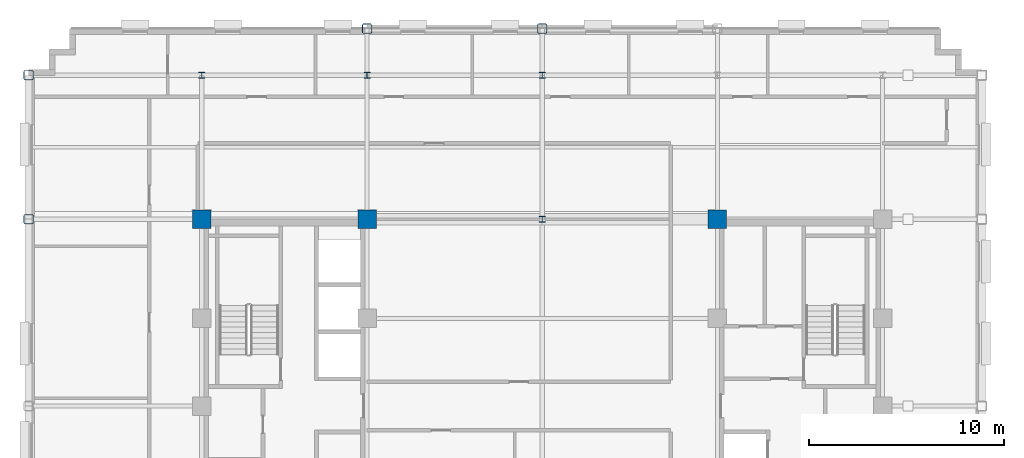
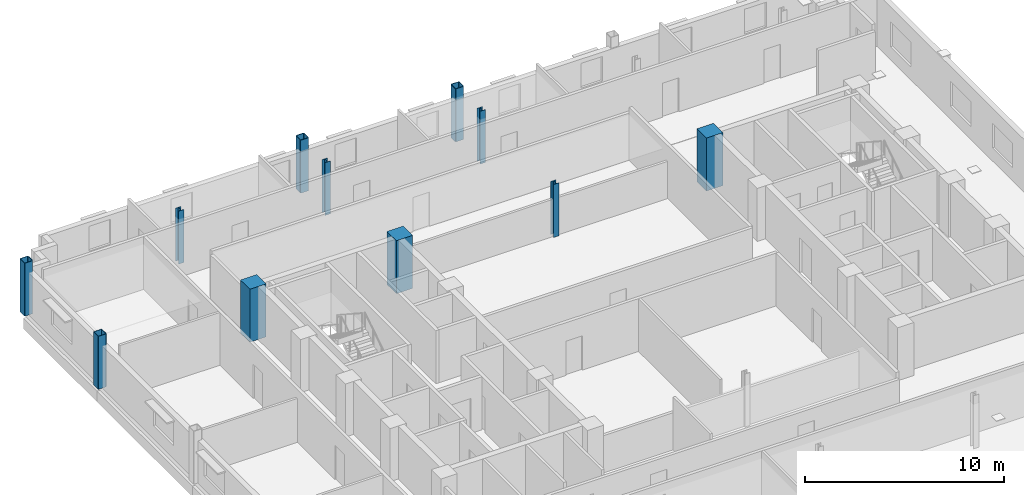
# One storey, part 3 of 15: 11 columns.
"""IFC4 building model written with IfcOpenShell, lengths in metres."""

from ifc_helpers import new_model, si_unit, direction, frame, origin, origin_2d, place, context, subcontext, project, spatial, rectangle, hollow_rectangle, i_section, extrude, material, material_profile, profile_set, type_object, element, save


model = new_model("IFC4")

# Units and contexts
model_context = context("Model", 3, precision=1e-05, world=origin(), true_north=direction((0.0, 1.0)))
body_context = subcontext(model_context, "Body", "Model", "MODEL_VIEW")
ifc_project = project(units=[si_unit("LENGTHUNIT", "METRE"), si_unit("AREAUNIT", "SQUARE_METRE"), si_unit("VOLUMEUNIT", "CUBIC_METRE"), si_unit("PLANEANGLEUNIT", "RADIAN"), si_unit("MASSUNIT", "GRAM", prefix="KILO")], contexts=[model_context])

# Site, building, storey
site_placement = place(None, origin())
site = spatial("IfcSite", under=ifc_project, at=site_placement, CompositionType="ELEMENT")
building_placement = place(site_placement, origin())
building = spatial("IfcBuilding", under=site, at=building_placement, Name="Nuvemarco Arch Tower", CompositionType="ELEMENT")
storey_placement = place(building_placement, frame((0.0, 0.0, 205.5)))
storey = spatial("IfcBuildingStorey", under=building, at=storey_placement, Name="L54", CompositionType="ELEMENT", Elevation=205.5)

# Columns
ifc_material_1 = material(Name="Concrete C50/60", Category="concrete")
ifc_material_profile_1 = material_profile(ifc_material_1, rectangle(XDim=0.949951171875, YDim=0.949951171875, at=origin_2d()), Name="RC-COL-950x950")
ifc_profile_set_1 = profile_set([ifc_material_profile_1], Name="Concrete C50/60")
column_type_1 = type_object("IfcColumnType", Name="COL-CORE-950", PredefinedType="COLUMN", material=ifc_profile_set_1)
for number, where, z_axis, x_axis, name in (
    (1, (-17.5, 9.60009765625, 0.0), (0.0, 0.0, 1.0), (1.0, 0.0, 0.0), "L54 column CC_-17.5_+9.6"),
    (2, (-9.0, 9.60009765625, 0.0), (0.0, 0.0, 1.0), (1.0, 0.0, 0.0), "L54 column CC_-9.0_+9.6"),
    (3, (9.0, 9.60009765625, 0.0), (0.0, 0.0, 1.0), (1.0, 0.0, 0.0), "L54 column CC_+9.0_+9.6"),
):
    element("IfcColumn", number, at=place(storey_placement, frame(where, z_axis=z_axis, x_axis=x_axis)), inside=storey, type_object=column_type_1, Name=name, PredefinedType="COLUMN", context=body_context, shape_type="SweptSolid", body=[
        extrude(rectangle(XDim=0.949951171875, YDim=0.949951171875, at=origin_2d()), origin(), (0.0, 0.0, 1.0), 3.25),
    ])
ifc_material_2 = material(Name="Steel S355", Category="steel")
ifc_material_profile_2 = material_profile(ifc_material_2, hollow_rectangle(XDim=0.5, YDim=0.5, WallThickness=0.031982421875, InnerFilletRadius=0.031982421875, OuterFilletRadius=0.06396484375, at=origin_2d()), Name="SHS500x500x32")
ifc_profile_set_2 = profile_set([ifc_material_profile_2], Name="Steel S355")
column_type_2 = type_object("IfcColumnType", Name="COL-EXO-500", PredefinedType="COLUMN", material=ifc_profile_set_2)
for number, where, z_axis, x_axis, name in (
    (4, (-26.39990234375, 9.60009765625, 0.0), (0.0, 0.0, 1.0), (1.0, 0.0, 0.0), "L54 column CX_-26.4_+9.6"),
    (5, (-26.39990234375, 17.0, 0.0), (0.0, 0.0, 1.0), (1.0, 0.0, 0.0), "L54 column CX_-26.4_+17.0"),
    (6, (-9.0, 19.39990234375, 0.0), (0.0, 0.0, 1.0), (1.0, 0.0, 0.0), "L54 column CY_-9.0_+19.4"),
    (7, (0.0, 19.39990234375, 0.0), (0.0, 0.0, 1.0), (1.0, 0.0, 0.0), "L54 column CY_+0.0_+19.4"),
):
    element("IfcColumn", number, at=place(storey_placement, frame(where, z_axis=z_axis, x_axis=x_axis)), inside=storey, type_object=column_type_2, Name=name, PredefinedType="COLUMN", context=body_context, shape_type="SweptSolid", body=[
        extrude(hollow_rectangle(XDim=0.5, YDim=0.5, WallThickness=0.031982421875, InnerFilletRadius=0.031982421875, OuterFilletRadius=0.06396484375, at=origin_2d()), origin(), (0.0, 0.0, 1.0), 3.25),
    ])
ifc_material_profile_3 = material_profile(ifc_material_2, i_section(OverallWidth=0.31005859375, OverallDepth=0.31005859375, WebThickness=0.015380859375, FlangeThickness=0.015380859375, FilletRadius=0.014892578125, at=origin_2d()), Name="HP310x110")
ifc_profile_set_3 = profile_set([ifc_material_profile_3], Name="Steel S355")
column_type_3 = type_object("IfcColumnType", Name="COL-STL-HP310", PredefinedType="COLUMN", material=ifc_profile_set_3)
for number, where, z_axis, x_axis, name in (
    (8, (0.0, 9.60009765625, 0.0), (0.0, 0.0, 1.0), (1.0, 0.0, 0.0), "L54 column CI_+0.0_+9.6"),
    (9, (0.0, 17.0, 0.0), (0.0, 0.0, 1.0), (1.0, 0.0, 0.0), "L54 column CI_+0.0_+17.0"),
    (10, (-17.5, 17.0, 0.0), (0.0, 0.0, 1.0), (1.0, 0.0, 0.0), "L54 column CI_-17.5_+17.0"),
    (11, (-9.0, 17.0, 0.0), (0.0, 0.0, 1.0), (1.0, 0.0, 0.0), "L54 column CI_-9.0_+17.0"),
):
    element("IfcColumn", number, at=place(storey_placement, frame(where, z_axis=z_axis, x_axis=x_axis)), inside=storey, type_object=column_type_3, Name=name, PredefinedType="COLUMN", context=body_context, shape_type="SweptSolid", body=[
        extrude(i_section(OverallWidth=0.31005859375, OverallDepth=0.31005859375, WebThickness=0.015380859375, FlangeThickness=0.015380859375, FilletRadius=0.014892578125, at=origin_2d()), origin(), (0.0, 0.0, 1.0), 3.25),
    ])

save(model, "model.ifc")
